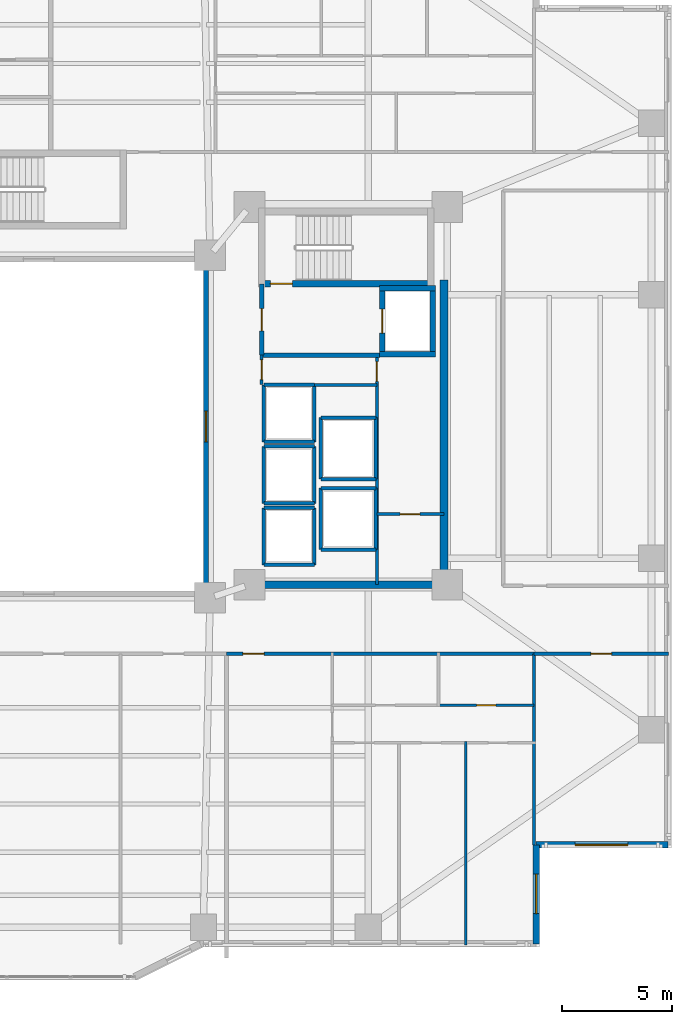
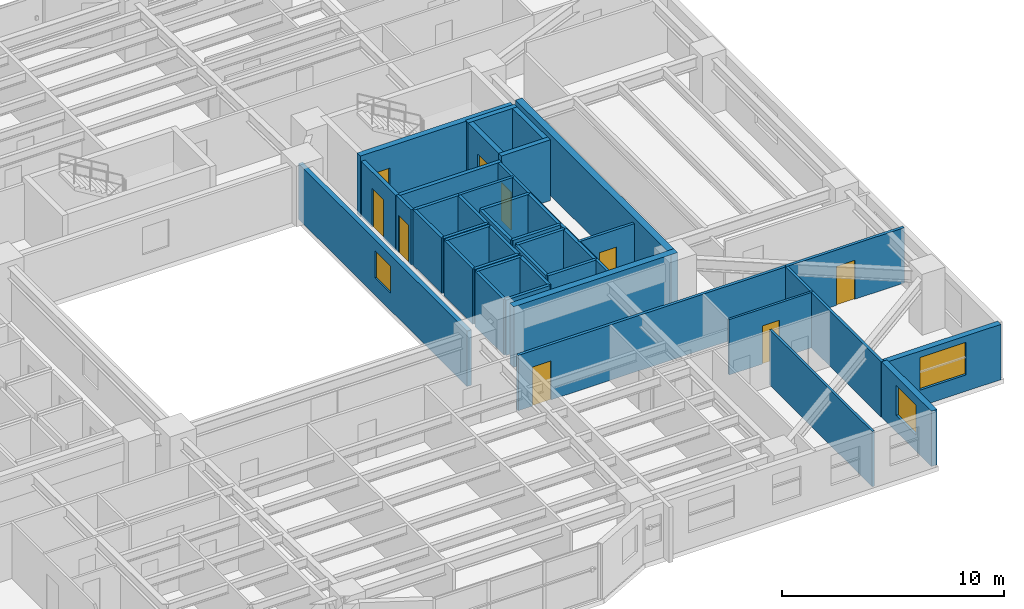
# One storey, part 12 of 20: 41 walls, 9 doors, 3 windows, 12 openings.
"""IFC4 building model written with IfcOpenShell, lengths in metres."""

from ifc_helpers import new_model, si_unit, direction, frame, frame_2d, origin, place, context, subcontext, project, spatial, rectangle, extrude, material, layer, layer_set, type_object, element, fill, save


model = new_model("IFC4")

# Units and contexts
model_context = context("Model", 3, precision=1e-05, world=origin(), true_north=direction((0.0, 1.0)))
body_context = subcontext(model_context, "Body", "Model", "MODEL_VIEW")
ifc_project = project(units=[si_unit("LENGTHUNIT", "METRE"), si_unit("AREAUNIT", "SQUARE_METRE"), si_unit("VOLUMEUNIT", "CUBIC_METRE"), si_unit("PLANEANGLEUNIT", "RADIAN"), si_unit("MASSUNIT", "GRAM", prefix="KILO")], contexts=[model_context])

# Site, building, storey
site_placement = place(None, origin())
site = spatial("IfcSite", under=ifc_project, at=site_placement, CompositionType="ELEMENT")
building_placement = place(site_placement, origin())
building = spatial("IfcBuilding", under=site, at=building_placement, Name="Tarnavaz Court Tower", CompositionType="ELEMENT")
storey_placement = place(building_placement, frame((0.0, 0.0, 60.85009765625)))
storey = spatial("IfcBuildingStorey", under=building, at=storey_placement, Name="L16", CompositionType="ELEMENT", Elevation=60.85009765625)

# Wall, opening, door
ifc_material_1 = material(Name="Concrete C60/75", Category="concrete")
ifc_layer_1 = layer(ifc_material_1, 0.25)
ifc_layer_set_1 = layer_set([ifc_layer_1], Name="Concrete C60/75")
wall_type_1 = type_object("IfcWallType", Name="WL-CORE-250-C60", PredefinedType="SHEAR", material=ifc_layer_set_1)
wall_1_placement = place(storey_placement, frame((15.64990234375, 3.175048828125, 0.0), z_axis=(0.0, 0.0, 1.0), x_axis=(0.0, 1.0, 0.0)))
wall_1 = element("IfcWall", 1, at=wall_1_placement, inside=storey, type_object=wall_type_1, Name="L16 Lift FL-E1 Shaft Wall 045", PredefinedType="SHEAR", context=body_context, shape_type="SweptSolid", body=[
    extrude(rectangle(XDim=3.25, YDim=0.25, at=frame_2d((1.625, 0.0))), origin(), (0.0, 0.0, 1.0), 3.349853515625),
])
opening_1_placement = place(wall_1_placement, frame((1.074951171875, 0.0, 0.0)))
opening_1 = element("IfcOpeningElement", 2, at=opening_1_placement, cuts=wall_1, Name="Opening LD1", PredefinedType="OPENING", context=body_context, shape_type="SweptSolid", body=[
    extrude(rectangle(XDim=1.10009765625, YDim=2.14990234375, at=frame_2d((0.550048828125, 1.074951171875))), frame((0.0, 0.135009765625, 0.0), z_axis=(0.0, -1.0, 0.0), x_axis=(1.0, 0.0, 0.0)), (0.0, 0.0, 1.0), 0.27001953125),
])
ifc_material_2 = material(Name="Stainless Steel", Category="steel")
door_type_1 = type_object("IfcDoorType", Name="DR-LD-1100", OperationType="NOTDEFINED", PredefinedType="DOOR", material=ifc_material_2)
door_1_placement = place(opening_1_placement, origin())
door_1 = element("IfcDoor", 3, at=door_1_placement, inside=storey, type_object=door_type_1, Name="L16 Lift Landing Door LD-FL-E1", OperationType="SLIDING_TO_LEFT", OverallHeight=2.14990234375, OverallWidth=1.10009765625, PredefinedType="DOOR", context=body_context, shape_type="SweptSolid", body=[
    extrude(rectangle(XDim=1.10009765625, YDim=2.14990234375, at=frame_2d((0.550048828125, 1.074951171875))), frame((0.0, 0.02490234375, 0.0), z_axis=(0.0, -1.0, 0.0), x_axis=(1.0, 0.0, 0.0)), (0.0, 0.0, 1.0), 0.050048828125),
])
fill(opening_1, door_1)

# Walls
wall_2_placement = place(storey_placement, frame((17.949951171875, 3.175048828125, 0.0), z_axis=(0.0, 0.0, 1.0), x_axis=(0.0, 1.0, 0.0)))
element("IfcWall", 4, at=wall_2_placement, inside=storey, type_object=wall_type_1, Name="L16 Lift FL-E1 Shaft Wall 046", PredefinedType="SHEAR", context=body_context, shape_type="SweptSolid", body=[
    extrude(rectangle(XDim=3.25, YDim=0.25, at=frame_2d((1.625, 0.0))), origin(), (0.0, 0.0, 1.0), 3.349853515625),
])
for number, where, z_axis, x_axis, name in (
    (5, (15.52490234375, 3.300048828125, 0.0), (0.0, 0.0, 1.0), (1.0, 0.0, 0.0), "L16 Lift FL-E1 Shaft Wall 047"),
    (6, (15.52490234375, 6.300048828125, 0.0), (0.0, 0.0, 1.0), (1.0, 0.0, 0.0), "L16 Lift FL-E1 Shaft Wall 048"),
):
    element("IfcWall", number, at=place(storey_placement, frame(where, z_axis=z_axis, x_axis=x_axis)), inside=storey, type_object=wall_type_1, Name=name, PredefinedType="SHEAR", context=body_context, shape_type="SweptSolid", body=[
        extrude(rectangle(XDim=2.550048828125, YDim=0.25, at=frame_2d((1.27490234375, 0.0))), origin(), (0.0, 0.0, 1.0), 3.349853515625),
    ])

# Wall, opening, door
ifc_layer_2 = layer(ifc_material_1, 0.300048828125)
ifc_layer_set_2 = layer_set([ifc_layer_2], Name="Concrete C60/75")
wall_type_2 = type_object("IfcWallType", Name="WL-CORE-300-C60", PredefinedType="SHEAR", material=ifc_layer_set_2)
wall_3_placement = place(storey_placement, frame((10.0, 6.5, 0.0), z_axis=(0.0, 0.0, 1.0), x_axis=(1.0, 0.0, 0.0)))
wall_3 = element("IfcWall", 7, at=wall_3_placement, inside=storey, type_object=wall_type_2, Name="L16 East Stair Core Wall 006", PredefinedType="SHEAR", context=body_context, shape_type="SweptSolid", body=[
    extrude(rectangle(XDim=8.0, YDim=0.300048828125, at=frame_2d((4.0, 0.0))), origin(), (0.0, 0.0, 1.0), 3.349853515625),
])
opening_2_placement = place(wall_3_placement, frame((0.550048828125, 0.0, 0.0)))
opening_2 = element("IfcOpeningElement", 8, at=opening_2_placement, cuts=wall_3, Name="Opening D01", PredefinedType="OPENING", context=body_context, shape_type="SweptSolid", body=[
    extrude(rectangle(XDim=1.0, YDim=2.14990234375, at=frame_2d((0.5, 1.074951171875))), frame((0.0, 0.159912109375, 0.0), z_axis=(0.0, -1.0, 0.0), x_axis=(1.0, 0.0, 0.0)), (0.0, 0.0, 1.0), 0.320068359375),
])
ifc_material_3 = material(Name="Fire-Rated Hardwood Timber Core", Category="wood")
door_type_2 = type_object("IfcDoorType", Name="DR-FD90-1000", OperationType="NOTDEFINED", PredefinedType="DOOR", material=ifc_material_3)
door_2_placement = place(opening_2_placement, origin())
door_2 = element("IfcDoor", 9, at=door_2_placement, inside=storey, type_object=door_type_2, Name="L16 Stair ST-E1 Exit Door", OperationType="SINGLE_SWING_RIGHT", OverallHeight=2.14990234375, OverallWidth=1.0, PredefinedType="DOOR", context=body_context, shape_type="SweptSolid", body=[
    extrude(rectangle(XDim=1.0, YDim=2.14990234375, at=frame_2d((0.5, 1.074951171875))), frame((0.0, 0.02490234375, 0.0), z_axis=(0.0, -1.0, 0.0), x_axis=(1.0, 0.0, 0.0)), (0.0, 0.0, 1.0), 0.050048828125),
])
fill(opening_2, door_2)

# Walls
ifc_layer_3 = layer(ifc_material_1, 0.35009765625)
ifc_layer_set_3 = layer_set([ifc_layer_3], Name="Concrete C60/75")
wall_type_3 = type_object("IfcWallType", Name="WL-CORE-350-C60", PredefinedType="SHEAR", material=ifc_layer_set_3)
wall_4_placement = place(storey_placement, frame((18.449951171875, -7.375, 0.0), z_axis=(0.0, 0.0, 1.0), x_axis=(0.0, 1.0, 0.0)))
element("IfcWall", 10, at=wall_4_placement, inside=storey, type_object=wall_type_3, Name="L16 East Core Shear Wall 071", PredefinedType="SHEAR", context=body_context, shape_type="SweptSolid", body=[
    extrude(rectangle(XDim=14.050048828125, YDim=0.35009765625, at=frame_2d((7.02490234375, 0.0))), origin(), (0.0, 0.0, 1.0), 3.349853515625),
])
wall_5_placement = place(storey_placement, frame((10.074951171875, -7.199951171875, 0.0), z_axis=(0.0, 0.0, 1.0), x_axis=(1.0, 0.0, 0.0)))
element("IfcWall", 11, at=wall_5_placement, inside=storey, type_object=wall_type_3, Name="L16 East Core South Shear Wall 072", PredefinedType="SHEAR", context=body_context, shape_type="SweptSolid", body=[
    extrude(rectangle(XDim=8.550048828125, YDim=0.35009765625, at=frame_2d((4.27490234375, 0.0))), origin(), (0.0, 0.0, 1.0), 3.349853515625),
])

# Wall, opening, window
ifc_material_4 = material(Name="Precast Concrete C40/50", Category="concrete")
ifc_layer_4 = layer(ifc_material_4, 0.300048828125)
ifc_layer_set_4 = layer_set([ifc_layer_4], Name="Precast Concrete C40/50")
wall_type_4 = type_object("IfcWallType", Name="WL-EXT-300", PredefinedType="SOLIDWALL", material=ifc_layer_set_4)
wall_6_placement = place(storey_placement, frame((28.64990234375, -19.050048828125, 0.0), z_axis=(0.0, 0.0, 1.0), x_axis=(-1.0, 0.0, 0.0)))
wall_6 = element("IfcWall", 12, at=wall_6_placement, inside=storey, type_object=wall_type_4, Name="L16 Exterior Terracotta Facade Wall 13", PredefinedType="SOLIDWALL", context=body_context, shape_type="SweptSolid", body=[
    extrude(rectangle(XDim=6.0, YDim=0.300048828125, at=frame_2d((3.0, 0.0))), origin(), (0.0, 0.0, 1.0), 3.0498046875),
])
opening_3_placement = place(wall_6_placement, frame((1.824951171875, 0.0, 0.89990234375)))
opening_3 = element("IfcOpeningElement", 13, at=opening_3_placement, cuts=wall_6, Name="Opening W06", PredefinedType="OPENING", context=body_context, shape_type="SweptSolid", body=[
    extrude(rectangle(XDim=2.39990234375, YDim=1.800048828125, at=frame_2d((1.199951171875, 0.89990234375))), frame((0.0, 0.159912109375, 0.0), z_axis=(0.0, -1.0, 0.0), x_axis=(1.0, 0.0, 0.0)), (0.0, 0.0, 1.0), 0.320068359375),
])
ifc_material_5 = material(Name="Double-Glazed Solar Low-E Glass", Category="glass")
window_type_1 = type_object("IfcWindowType", Name="WN-APT-2400", PartitioningType="TRIPLE_PANEL_VERTICAL", PredefinedType="WINDOW", material=ifc_material_5)
window_1_placement = place(opening_3_placement, origin())
window_1 = element("IfcWindow", 14, at=window_1_placement, inside=storey, type_object=window_type_1, Name="L16 South-East Corner Reading Room Window", OverallHeight=1.800048828125, OverallWidth=2.39990234375, PartitioningType="SINGLE_PANEL", PredefinedType="WINDOW", context=body_context, shape_type="SweptSolid", body=[
    extrude(rectangle(XDim=2.39990234375, YDim=1.800048828125, at=frame_2d((1.199951171875, 0.89990234375))), frame((0.0, 0.030029296875, 0.0), z_axis=(0.0, -1.0, 0.0), x_axis=(1.0, 0.0, 0.0)), (0.0, 0.0, 1.0), 0.06005859375),
])
fill(opening_3, window_1)

wall_7_placement = place(storey_placement, frame((22.64990234375, -19.050048828125, 0.0), z_axis=(0.0, 0.0, 1.0), x_axis=(0.0, -1.0, 0.0)))
wall_7 = element("IfcWall", 15, at=wall_7_placement, inside=storey, type_object=wall_type_4, Name="L16 Exterior Terracotta Facade Wall 14", PredefinedType="SOLIDWALL", context=body_context, shape_type="SweptSolid", body=[
    extrude(rectangle(XDim=4.5, YDim=0.300048828125, at=frame_2d((2.25, 0.0))), origin(), (0.0, 0.0, 1.0), 3.0498046875),
])
opening_4_placement = place(wall_7_placement, frame((1.33251953125, 0.0, 0.89990234375)))
opening_4 = element("IfcOpeningElement", 16, at=opening_4_placement, cuts=wall_7, Name="Opening W01", PredefinedType="OPENING", context=body_context, shape_type="SweptSolid", body=[
    extrude(rectangle(XDim=1.800048828125, YDim=1.64990234375, at=frame_2d((0.89990234375, 0.824951171875))), frame((0.0, 0.159912109375, 0.0), z_axis=(0.0, -1.0, 0.0), x_axis=(1.0, 0.0, 0.0)), (0.0, 0.0, 1.0), 0.320068359375),
])
window_type_2 = type_object("IfcWindowType", Name="WN-APT-1800", PartitioningType="DOUBLE_PANEL_VERTICAL", PredefinedType="WINDOW", material=ifc_material_5)
window_2_placement = place(opening_4_placement, origin())
window_2 = element("IfcWindow", 17, at=window_2_placement, inside=storey, type_object=window_type_2, Name="L16 Flat 04 Bedroom 3 Window", OverallHeight=1.64990234375, OverallWidth=1.800048828125, PartitioningType="SINGLE_PANEL", PredefinedType="WINDOW", context=body_context, shape_type="SweptSolid", body=[
    extrude(rectangle(XDim=1.800048828125, YDim=1.64990234375, at=frame_2d((0.89990234375, 0.824951171875))), frame((0.0, 0.030029296875, 0.0), z_axis=(0.0, -1.0, 0.0), x_axis=(1.0, 0.0, 0.0)), (0.0, 0.0, 1.0), 0.06005859375),
])
fill(opening_4, window_2)

# Wall, opening, door
ifc_material_6 = material(Name="Gypsum Fire-Board on Acoustic Metal Stud", Category="masonry")
ifc_layer_5 = layer(ifc_material_6, 0.14990234375)
ifc_layer_set_5 = layer_set([ifc_layer_5], Name="Gypsum Fire-Board on Acoustic Metal Stud")
wall_type_5 = type_object("IfcWallType", Name="WL-FIRE-150", PredefinedType="PARTITIONING", material=ifc_layer_set_5)
wall_8_placement = place(storey_placement, frame((8.550048828125, -10.35009765625, 0.0), z_axis=(0.0, 0.0, 1.0), x_axis=(1.0, 0.0, 0.0)))
wall_8 = element("IfcWall", 18, at=wall_8_placement, inside=storey, type_object=wall_type_5, Name="L16 SE Corridor Wall 086", PredefinedType="PARTITIONING", context=body_context, shape_type="SweptSolid", body=[
    extrude(rectangle(XDim=14.0, YDim=0.14990234375, at=frame_2d((7.0, 0.0))), origin(), (0.0, 0.0, 1.0), 3.0498046875),
])
opening_5_placement = place(wall_8_placement, frame((0.75, 0.0, 0.0)))
opening_5 = element("IfcOpeningElement", 19, at=opening_5_placement, cuts=wall_8, Name="Opening D06", PredefinedType="OPENING", context=body_context, shape_type="SweptSolid", body=[
    extrude(rectangle(XDim=0.9599609375, YDim=2.14990234375, at=frame_2d((0.47998046875, 1.074951171875))), frame((0.0, 0.0849609375, 0.0), z_axis=(0.0, -1.0, 0.0), x_axis=(1.0, 0.0, 0.0)), (0.0, 0.0, 1.0), 0.169921875),
])
door_type_3 = type_object("IfcDoorType", Name="DR-FD60-950", OperationType="NOTDEFINED", PredefinedType="DOOR", material=ifc_material_3)
door_3_placement = place(opening_5_placement, origin())
door_3 = element("IfcDoor", 20, at=door_3_placement, inside=storey, type_object=door_type_3, Name="L16 Flat 04 Entrance Door", OperationType="SINGLE_SWING_LEFT", OverallHeight=2.14990234375, OverallWidth=0.9599609375, PredefinedType="DOOR", context=body_context, shape_type="SweptSolid", body=[
    extrude(rectangle(XDim=0.9599609375, YDim=2.14990234375, at=frame_2d((0.47998046875, 1.074951171875))), frame((0.0, 0.02490234375, 0.0), z_axis=(0.0, -1.0, 0.0), x_axis=(1.0, 0.0, 0.0)), (0.0, 0.0, 1.0), 0.050048828125),
])
fill(opening_5, door_3)

wall_9_placement = place(storey_placement, frame((22.550048828125, -10.35009765625, 0.0), z_axis=(0.0, 0.0, 1.0), x_axis=(1.0, 0.0, 0.0)))
wall_9 = element("IfcWall", 21, at=wall_9_placement, inside=storey, type_object=wall_type_5, Name="L16 Interior Partition 132", PredefinedType="PARTITIONING", context=body_context, shape_type="SweptSolid", body=[
    extrude(rectangle(XDim=6.1298828125, YDim=0.14990234375, at=frame_2d((3.06494140625, 0.0))), origin(), (0.0, 0.0, 1.0), 3.0498046875),
])
opening_6_placement = place(wall_9_placement, frame((2.590087890625, 0.0, 0.0)))
opening_6 = element("IfcOpeningElement", 22, at=opening_6_placement, cuts=wall_9, Name="Opening D13", PredefinedType="OPENING", context=body_context, shape_type="SweptSolid", body=[
    extrude(rectangle(XDim=0.949951171875, YDim=2.14990234375, at=frame_2d((0.47509765625, 1.074951171875))), frame((0.0, 0.0849609375, 0.0), z_axis=(0.0, -1.0, 0.0), x_axis=(1.0, 0.0, 0.0)), (0.0, 0.0, 1.0), 0.169921875),
])
ifc_material_7 = material(Name="Engineered Oak Timber", Category="wood")
door_type_4 = type_object("IfcDoorType", Name="DR-INT-950", OperationType="NOTDEFINED", PredefinedType="DOOR", material=ifc_material_7)
door_4_placement = place(opening_6_placement, origin())
door_4 = element("IfcDoor", 23, at=door_4_placement, inside=storey, type_object=door_type_4, Name="L16 SE Reading Room Door", OperationType="SINGLE_SWING_RIGHT", OverallHeight=2.14990234375, OverallWidth=0.949951171875, PredefinedType="DOOR", context=body_context, shape_type="SweptSolid", body=[
    extrude(rectangle(XDim=0.949951171875, YDim=2.14990234375, at=frame_2d((0.47509765625, 1.074951171875))), frame((0.0, 0.02490234375, 0.0), z_axis=(0.0, -1.0, 0.0), x_axis=(1.0, 0.0, 0.0)), (0.0, 0.0, 1.0), 0.050048828125),
])
fill(opening_6, door_4)

# Wall
ifc_material_8 = material(Name="Autoclaved Aerated Concrete Blockwork", Category="masonry")
ifc_layer_6 = layer(ifc_material_8, 0.199951171875)
ifc_layer_set_6 = layer_set([ifc_layer_6], Name="Autoclaved Aerated Concrete Blockwork")
wall_type_6 = type_object("IfcWallType", Name="WL-FIRE-200", PredefinedType="SOLIDWALL", material=ifc_layer_set_6)
wall_10_placement = place(storey_placement, frame((10.14990234375, 3.25, 0.0), z_axis=(0.0, 0.0, 1.0), x_axis=(1.0, 0.0, 0.0)))
element("IfcWall", 24, at=wall_10_placement, inside=storey, type_object=wall_type_6, Name="L16 East Firefighting Lobby Wall 015", PredefinedType="SOLIDWALL", context=body_context, shape_type="SweptSolid", body=[
    extrude(rectangle(XDim=5.400146484375, YDim=0.199951171875, at=frame_2d((2.7001953125, 0.0))), origin(), (0.0, 0.0, 1.0), 3.0498046875),
])

# Wall, opening, door
wall_11_placement = place(storey_placement, frame((10.14990234375, 3.25, 0.0), z_axis=(0.0, 0.0, 1.0), x_axis=(0.0, 1.0, 0.0)))
wall_11 = element("IfcWall", 25, at=wall_11_placement, inside=storey, type_object=wall_type_6, Name="L16 East Firefighting Lobby Wall 016", PredefinedType="SOLIDWALL", context=body_context, shape_type="SweptSolid", body=[
    extrude(rectangle(XDim=3.25, YDim=0.199951171875, at=frame_2d((1.625, 0.0))), origin(), (0.0, 0.0, 1.0), 3.0498046875),
])
opening_7_placement = place(wall_11_placement, frame((1.10009765625, 0.0, 0.0)))
opening_7 = element("IfcOpeningElement", 26, at=opening_7_placement, cuts=wall_11, Name="Opening D05", PredefinedType="OPENING", context=body_context, shape_type="SweptSolid", body=[
    extrude(rectangle(XDim=1.02001953125, YDim=2.14990234375, at=frame_2d((0.510009765625, 1.074951171875))), frame((0.0, 0.10986328125, 0.0), z_axis=(0.0, -1.0, 0.0), x_axis=(1.0, 0.0, 0.0)), (0.0, 0.0, 1.0), 0.219970703125),
])
door_type_5 = type_object("IfcDoorType", Name="DR-FD60-1000", OperationType="NOTDEFINED", PredefinedType="DOOR", material=ifc_material_3)
door_5_placement = place(opening_7_placement, origin())
door_5 = element("IfcDoor", 27, at=door_5_placement, inside=storey, type_object=door_type_5, Name="L16 East Firefighting Lobby Door", OperationType="SINGLE_SWING_LEFT", OverallHeight=2.14990234375, OverallWidth=1.02001953125, PredefinedType="DOOR", context=body_context, shape_type="SweptSolid", body=[
    extrude(rectangle(XDim=1.02001953125, YDim=2.14990234375, at=frame_2d((0.510009765625, 1.074951171875))), frame((0.0, 0.02490234375, 0.0), z_axis=(0.0, -1.0, 0.0), x_axis=(1.0, 0.0, 0.0)), (0.0, 0.0, 1.0), 0.050048828125),
])
fill(opening_7, door_5)

ifc_material_9 = material(Name="Moisture-Resistant Gypsum Board Partition", Category="masonry")
ifc_layer_7 = layer(ifc_material_9, 0.1201171875)
ifc_layer_set_7 = layer_set([ifc_layer_7], Name="Moisture-Resistant Gypsum Board Partition")
wall_type_7 = type_object("IfcWallType", Name="WL-PART-120", PredefinedType="PARTITIONING", material=ifc_layer_set_7)
wall_12_placement = place(storey_placement, frame((18.199951171875, -12.68994140625, 0.0), z_axis=(0.0, 0.0, 1.0), x_axis=(1.0, 0.0, 0.0)))
wall_12 = element("IfcWall", 28, at=wall_12_placement, inside=storey, type_object=wall_type_7, Name="L16 Interior Partition 112", PredefinedType="PARTITIONING", context=body_context, shape_type="SweptSolid", body=[
    extrude(rectangle(XDim=4.35009765625, YDim=0.1201171875, at=frame_2d((2.175048828125, 0.0))), origin(), (0.0, 0.0, 1.0), 3.0498046875),
])
opening_8_placement = place(wall_12_placement, frame((1.735107421875, 0.0, 0.0)))
opening_8 = element("IfcOpeningElement", 29, at=opening_8_placement, cuts=wall_12, Name="Opening D14", PredefinedType="OPENING", context=body_context, shape_type="SweptSolid", body=[
    extrude(rectangle(XDim=0.8798828125, YDim=2.10009765625, at=frame_2d((0.43994140625, 1.050048828125))), frame((0.0, 0.070068359375, 0.0), z_axis=(0.0, -1.0, 0.0), x_axis=(1.0, 0.0, 0.0)), (0.0, 0.0, 1.0), 0.14013671875),
])
door_type_6 = type_object("IfcDoorType", Name="DR-INT-900", OperationType="NOTDEFINED", PredefinedType="DOOR", material=ifc_material_7)
door_6_placement = place(opening_8_placement, origin())
door_6 = element("IfcDoor", 30, at=door_6_placement, inside=storey, type_object=door_type_6, Name="L16 Flat 04 Bathroom Door", OperationType="SINGLE_SWING_RIGHT", OverallHeight=2.10009765625, OverallWidth=0.8798828125, PredefinedType="DOOR", context=body_context, shape_type="SweptSolid", body=[
    extrude(rectangle(XDim=0.8798828125, YDim=2.10009765625, at=frame_2d((0.43994140625, 1.050048828125))), frame((0.0, 0.02490234375, 0.0), z_axis=(0.0, -1.0, 0.0), x_axis=(1.0, 0.0, 0.0)), (0.0, 0.0, 1.0), 0.050048828125),
])
fill(opening_8, door_6)

# Walls
wall_13_placement = place(storey_placement, frame((19.447021484375, -23.60009765625, 0.0), z_axis=(0.0, 0.0, 1.0), x_axis=(0.0, 1.0, 0.0)))
element("IfcWall", 31, at=wall_13_placement, inside=storey, type_object=wall_type_7, Name="L16 Interior Partition 116", PredefinedType="PARTITIONING", context=body_context, shape_type="SweptSolid", body=[
    extrude(rectangle(XDim=9.260009765625, YDim=0.1201171875, at=frame_2d((4.6298828125, 0.0))), origin(), (0.0, 0.0, 1.0), 3.0498046875),
])
ifc_material_10 = material(Name="Gypsum Plasterboard Acoustic Partition", Category="masonry")
ifc_layer_8 = layer(ifc_material_10, 0.139892578125)
ifc_layer_set_8 = layer_set([ifc_layer_8], Name="Gypsum Plasterboard Acoustic Partition")
wall_type_8 = type_object("IfcWallType", Name="WL-PART-150", PredefinedType="PARTITIONING", material=ifc_layer_set_8)
wall_14_placement = place(storey_placement, frame((12.550048828125, 1.89990234375, 0.0), z_axis=(0.0, 0.0, 1.0), x_axis=(1.0, 0.0, 0.0)))
element("IfcWall", 32, at=wall_14_placement, inside=storey, type_object=wall_type_8, Name="L16 Interior Partition 077", PredefinedType="PARTITIONING", context=body_context, shape_type="SweptSolid", body=[
    extrude(rectangle(XDim=2.849853515625, YDim=0.139892578125, at=frame_2d((1.4248046875, 0.0))), origin(), (0.0, 0.0, 1.0), 3.0498046875),
])

# Wall, opening, door
wall_15_placement = place(storey_placement, frame((10.14990234375, 1.919921875, 0.0), z_axis=(0.0, 0.0, 1.0), x_axis=(0.0, 1.0, 0.0)))
wall_15 = element("IfcWall", 33, at=wall_15_placement, inside=storey, type_object=wall_type_8, Name="L16 Interior Partition 078", PredefinedType="PARTITIONING", context=body_context, shape_type="SweptSolid", body=[
    extrude(rectangle(XDim=1.330078125, YDim=0.139892578125, at=frame_2d((0.6650390625, 0.0))), origin(), (0.0, 0.0, 1.0), 3.0498046875),
])
opening_9_placement = place(wall_15_placement, frame((0.219970703125, 0.0, 0.0)))
opening_9 = element("IfcOpeningElement", 34, at=opening_9_placement, cuts=wall_15, Name="Opening D09", PredefinedType="OPENING", context=body_context, shape_type="SweptSolid", body=[
    extrude(rectangle(XDim=0.89990234375, YDim=2.080078125, at=frame_2d((0.449951171875, 1.0400390625))), frame((0.0, 0.079833984375, 0.0), z_axis=(0.0, -1.0, 0.0), x_axis=(1.0, 0.0, 0.0)), (0.0, 0.0, 1.0), 0.159912109375),
])
door_type_7 = type_object("IfcDoorType", Name="DR-FD30-900", OperationType="NOTDEFINED", PredefinedType="DOOR", material=ifc_material_3)
door_7_placement = place(opening_9_placement, origin())
door_7 = element("IfcDoor", 35, at=door_7_placement, inside=storey, type_object=door_type_7, Name="L16 East Core Service Lobby Door", OperationType="SINGLE_SWING_RIGHT", OverallHeight=2.080078125, OverallWidth=0.89990234375, PredefinedType="DOOR", context=body_context, shape_type="SweptSolid", body=[
    extrude(rectangle(XDim=0.89990234375, YDim=2.080078125, at=frame_2d((0.449951171875, 1.0400390625))), frame((0.0, 0.02490234375, 0.0), z_axis=(0.0, -1.0, 0.0), x_axis=(1.0, 0.0, 0.0)), (0.0, 0.0, 1.0), 0.050048828125),
])
fill(opening_9, door_7)

wall_16_placement = place(storey_placement, frame((15.39990234375, -7.199951171875, 0.0), z_axis=(0.0, 0.0, 1.0), x_axis=(0.0, 1.0, 0.0)))
wall_16 = element("IfcWall", 36, at=wall_16_placement, inside=storey, type_object=wall_type_8, Name="L16 Interior Partition 079", PredefinedType="PARTITIONING", context=body_context, shape_type="SweptSolid", body=[
    extrude(rectangle(XDim=10.449951171875, YDim=0.139892578125, at=frame_2d((5.22509765625, 0.0))), origin(), (0.0, 0.0, 1.0), 3.0498046875),
])
opening_10_placement = place(wall_16_placement, frame((9.25, 0.0, 0.0)))
opening_10 = element("IfcOpeningElement", 37, at=opening_10_placement, cuts=wall_16, Name="Opening D09", PredefinedType="OPENING", context=body_context, shape_type="SweptSolid", body=[
    extrude(rectangle(XDim=0.89990234375, YDim=2.080078125, at=frame_2d((0.449951171875, 1.0400390625))), frame((0.0, 0.079833984375, 0.0), z_axis=(0.0, -1.0, 0.0), x_axis=(1.0, 0.0, 0.0)), (0.0, 0.0, 1.0), 0.159912109375),
])
door_8_placement = place(opening_10_placement, origin())
door_8 = element("IfcDoor", 38, at=door_8_placement, inside=storey, type_object=door_type_7, Name="L16 East Wet Riser Door", OperationType="SINGLE_SWING_LEFT", OverallHeight=2.080078125, OverallWidth=0.89990234375, PredefinedType="DOOR", context=body_context, shape_type="SweptSolid", body=[
    extrude(rectangle(XDim=0.89990234375, YDim=2.080078125, at=frame_2d((0.449951171875, 1.0400390625))), frame((0.0, 0.02490234375, 0.0), z_axis=(0.0, -1.0, 0.0), x_axis=(1.0, 0.0, 0.0)), (0.0, 0.0, 1.0), 0.050048828125),
])
fill(opening_10, door_8)

wall_17_placement = place(storey_placement, frame((15.39990234375, -3.989990234375, 0.0), z_axis=(0.0, 0.0, 1.0), x_axis=(1.0, 0.0, 0.0)))
wall_17 = element("IfcWall", 39, at=wall_17_placement, inside=storey, type_object=wall_type_8, Name="L16 Interior Partition 080", PredefinedType="PARTITIONING", context=body_context, shape_type="SweptSolid", body=[
    extrude(rectangle(XDim=3.050048828125, YDim=0.139892578125, at=frame_2d((1.52490234375, 0.0))), origin(), (0.0, 0.0, 1.0), 3.0498046875),
])
opening_11_placement = place(wall_17_placement, frame((1.050048828125, 0.0, 0.0)))
opening_11 = element("IfcOpeningElement", 40, at=opening_11_placement, cuts=wall_17, Name="Opening D09", PredefinedType="OPENING", context=body_context, shape_type="SweptSolid", body=[
    extrude(rectangle(XDim=0.89990234375, YDim=2.080078125, at=frame_2d((0.449951171875, 1.0400390625))), frame((0.0, 0.079833984375, 0.0), z_axis=(0.0, -1.0, 0.0), x_axis=(1.0, 0.0, 0.0)), (0.0, 0.0, 1.0), 0.159912109375),
])
door_9_placement = place(opening_11_placement, origin())
door_9 = element("IfcDoor", 41, at=door_9_placement, inside=storey, type_object=door_type_7, Name="L16 East Electrical Plant Door", OperationType="SINGLE_SWING_RIGHT", OverallHeight=2.080078125, OverallWidth=0.89990234375, PredefinedType="DOOR", context=body_context, shape_type="SweptSolid", body=[
    extrude(rectangle(XDim=0.89990234375, YDim=2.080078125, at=frame_2d((0.449951171875, 1.0400390625))), frame((0.0, 0.02490234375, 0.0), z_axis=(0.0, -1.0, 0.0), x_axis=(1.0, 0.0, 0.0)), (0.0, 0.0, 1.0), 0.050048828125),
])
fill(opening_11, door_9)

# Walls
wall_18_placement = place(storey_placement, frame((22.550048828125, -19.050048828125, 0.0), z_axis=(0.0, 0.0, 1.0), x_axis=(0.0, 1.0, 0.0)))
element("IfcWall", 42, at=wall_18_placement, inside=storey, type_object=wall_type_8, Name="L16 Interior Partition 126", PredefinedType="PARTITIONING", context=body_context, shape_type="SweptSolid", body=[
    extrude(rectangle(XDim=8.699951171875, YDim=0.139892578125, at=frame_2d((4.35009765625, 0.0))), origin(), (0.0, 0.0, 1.0), 3.0498046875),
])
ifc_layer_9 = layer(ifc_material_8, 0.159912109375)
ifc_layer_set_9 = layer_set([ifc_layer_9], Name="Autoclaved Aerated Concrete Blockwork")
wall_type_9 = type_object("IfcWallType", Name="WL-SHAFT-150", PredefinedType="SOLIDWALL", material=ifc_layer_set_9)
for number, where, z_axis, x_axis, name in (
    (43, (10.25, -6.300048828125, 0.0), (0.0, 0.0, 1.0), (0.0, 1.0, 0.0), "L16 Lift PL-M1 Shaft Wall 049"),
    (44, (12.550048828125, -6.300048828125, 0.0), (0.0, 0.0, 1.0), (0.0, 1.0, 0.0), "L16 Lift PL-M1 Shaft Wall 050"),
):
    element("IfcWall", number, at=place(storey_placement, frame(where, z_axis=z_axis, x_axis=x_axis)), inside=storey, type_object=wall_type_9, Name=name, PredefinedType="SOLIDWALL", context=body_context, shape_type="SweptSolid", body=[
        extrude(rectangle(XDim=2.60009765625, YDim=0.159912109375, at=frame_2d((1.300048828125, 0.0))), origin(), (0.0, 0.0, 1.0), 3.0498046875),
    ])
for number, where, z_axis, x_axis, name in (
    (45, (10.25, -6.300048828125, 0.0), (0.0, 0.0, 1.0), (1.0, 0.0, 0.0), "L16 Lift PL-M1 Shaft Wall 051"),
    (46, (10.25, -3.699951171875, 0.0), (0.0, 0.0, 1.0), (1.0, 0.0, 0.0), "L16 Lift PL-M1 Shaft Wall 052"),
):
    element("IfcWall", number, at=place(storey_placement, frame(where, z_axis=z_axis, x_axis=x_axis)), inside=storey, type_object=wall_type_9, Name=name, PredefinedType="SOLIDWALL", context=body_context, shape_type="SweptSolid", body=[
        extrude(rectangle(XDim=2.300048828125, YDim=0.159912109375, at=frame_2d((1.14990234375, 0.0))), origin(), (0.0, 0.0, 1.0), 3.0498046875),
    ])
for number, where, z_axis, x_axis, name in (
    (47, (10.25, -3.5, 0.0), (0.0, 0.0, 1.0), (0.0, 1.0, 0.0), "L16 Lift PL-M2 Shaft Wall 053"),
    (48, (12.550048828125, -3.5, 0.0), (0.0, 0.0, 1.0), (0.0, 1.0, 0.0), "L16 Lift PL-M2 Shaft Wall 054"),
):
    element("IfcWall", number, at=place(storey_placement, frame(where, z_axis=z_axis, x_axis=x_axis)), inside=storey, type_object=wall_type_9, Name=name, PredefinedType="SOLIDWALL", context=body_context, shape_type="SweptSolid", body=[
        extrude(rectangle(XDim=2.60009765625, YDim=0.159912109375, at=frame_2d((1.300048828125, 0.0))), origin(), (0.0, 0.0, 1.0), 3.0498046875),
    ])
for number, where, z_axis, x_axis, name in (
    (49, (10.25, -3.5, 0.0), (0.0, 0.0, 1.0), (1.0, 0.0, 0.0), "L16 Lift PL-M2 Shaft Wall 055"),
    (50, (10.25, -0.89990234375, 0.0), (0.0, 0.0, 1.0), (1.0, 0.0, 0.0), "L16 Lift PL-M2 Shaft Wall 056"),
):
    element("IfcWall", number, at=place(storey_placement, frame(where, z_axis=z_axis, x_axis=x_axis)), inside=storey, type_object=wall_type_9, Name=name, PredefinedType="SOLIDWALL", context=body_context, shape_type="SweptSolid", body=[
        extrude(rectangle(XDim=2.300048828125, YDim=0.159912109375, at=frame_2d((1.14990234375, 0.0))), origin(), (0.0, 0.0, 1.0), 3.0498046875),
    ])
for number, where, z_axis, x_axis, name in (
    (51, (10.25, -0.699951171875, 0.0), (0.0, 0.0, 1.0), (0.0, 1.0, 0.0), "L16 Lift PL-M3 Shaft Wall 057"),
    (52, (12.550048828125, -0.699951171875, 0.0), (0.0, 0.0, 1.0), (0.0, 1.0, 0.0), "L16 Lift PL-M3 Shaft Wall 058"),
):
    element("IfcWall", number, at=place(storey_placement, frame(where, z_axis=z_axis, x_axis=x_axis)), inside=storey, type_object=wall_type_9, Name=name, PredefinedType="SOLIDWALL", context=body_context, shape_type="SweptSolid", body=[
        extrude(rectangle(XDim=2.599853515625, YDim=0.159912109375, at=frame_2d((1.2998046875, 0.0))), origin(), (0.0, 0.0, 1.0), 3.0498046875),
    ])
for number, where, z_axis, x_axis, name in (
    (53, (10.25, -0.699951171875, 0.0), (0.0, 0.0, 1.0), (1.0, 0.0, 0.0), "L16 Lift PL-M3 Shaft Wall 059"),
    (54, (10.25, 1.89990234375, 0.0), (0.0, 0.0, 1.0), (1.0, 0.0, 0.0), "L16 Lift PL-M3 Shaft Wall 060"),
):
    element("IfcWall", number, at=place(storey_placement, frame(where, z_axis=z_axis, x_axis=x_axis)), inside=storey, type_object=wall_type_9, Name=name, PredefinedType="SOLIDWALL", context=body_context, shape_type="SweptSolid", body=[
        extrude(rectangle(XDim=2.300048828125, YDim=0.159912109375, at=frame_2d((1.14990234375, 0.0))), origin(), (0.0, 0.0, 1.0), 3.0498046875),
    ])
for number, where, z_axis, x_axis, name in (
    (55, (12.85009765625, -5.60009765625, 0.0), (0.0, 0.0, 1.0), (0.0, 1.0, 0.0), "L16 Lift PL-OB1 Shaft Wall 061"),
    (56, (15.35009765625, -5.60009765625, 0.0), (0.0, 0.0, 1.0), (0.0, 1.0, 0.0), "L16 Lift PL-OB1 Shaft Wall 062"),
):
    element("IfcWall", number, at=place(storey_placement, frame(where, z_axis=z_axis, x_axis=x_axis)), inside=storey, type_object=wall_type_9, Name=name, PredefinedType="SOLIDWALL", context=body_context, shape_type="SweptSolid", body=[
        extrude(rectangle(XDim=2.800048828125, YDim=0.159912109375, at=frame_2d((1.39990234375, 0.0))), origin(), (0.0, 0.0, 1.0), 3.0498046875),
    ])
for number, where, z_axis, x_axis, name in (
    (57, (12.85009765625, -5.60009765625, 0.0), (0.0, 0.0, 1.0), (1.0, 0.0, 0.0), "L16 Lift PL-OB1 Shaft Wall 063"),
    (58, (12.85009765625, -2.800048828125, 0.0), (0.0, 0.0, 1.0), (1.0, 0.0, 0.0), "L16 Lift PL-OB1 Shaft Wall 064"),
):
    element("IfcWall", number, at=place(storey_placement, frame(where, z_axis=z_axis, x_axis=x_axis)), inside=storey, type_object=wall_type_9, Name=name, PredefinedType="SOLIDWALL", context=body_context, shape_type="SweptSolid", body=[
        extrude(rectangle(XDim=2.5, YDim=0.159912109375, at=frame_2d((1.25, 0.0))), origin(), (0.0, 0.0, 1.0), 3.0498046875),
    ])
for number, where, z_axis, x_axis, name in (
    (59, (12.85009765625, -2.39990234375, 0.0), (0.0, 0.0, 1.0), (0.0, 1.0, 0.0), "L16 Lift PL-OB2 Shaft Wall 065"),
    (60, (15.35009765625, -2.39990234375, 0.0), (0.0, 0.0, 1.0), (0.0, 1.0, 0.0), "L16 Lift PL-OB2 Shaft Wall 066"),
):
    element("IfcWall", number, at=place(storey_placement, frame(where, z_axis=z_axis, x_axis=x_axis)), inside=storey, type_object=wall_type_9, Name=name, PredefinedType="SOLIDWALL", context=body_context, shape_type="SweptSolid", body=[
        extrude(rectangle(XDim=2.7998046875, YDim=0.159912109375, at=frame_2d((1.39990234375, 0.0))), origin(), (0.0, 0.0, 1.0), 3.0498046875),
    ])
for number, where, z_axis, x_axis, name in (
    (61, (12.85009765625, -2.39990234375, 0.0), (0.0, 0.0, 1.0), (1.0, 0.0, 0.0), "L16 Lift PL-OB2 Shaft Wall 067"),
    (62, (12.85009765625, 0.39990234375, 0.0), (0.0, 0.0, 1.0), (1.0, 0.0, 0.0), "L16 Lift PL-OB2 Shaft Wall 068"),
):
    element("IfcWall", number, at=place(storey_placement, frame(where, z_axis=z_axis, x_axis=x_axis)), inside=storey, type_object=wall_type_9, Name=name, PredefinedType="SOLIDWALL", context=body_context, shape_type="SweptSolid", body=[
        extrude(rectangle(XDim=2.5, YDim=0.159912109375, at=frame_2d((1.25, 0.0))), origin(), (0.0, 0.0, 1.0), 3.0498046875),
    ])

# Wall, opening, window
ifc_layer_10 = layer(ifc_material_4, 0.239990234375)
ifc_layer_set_10 = layer_set([ifc_layer_10], Name="Precast Concrete C40/50")
wall_type_10 = type_object("IfcWallType", Name="WL-WELL-240", PredefinedType="SOLIDWALL", material=ifc_layer_set_10)
wall_19_placement = place(storey_placement, frame((7.6201171875, -7.6201171875, 0.0), z_axis=(0.0, 0.0, 1.0), x_axis=(0.0, 1.0, 0.0)))
wall_19 = element("IfcWall", 63, at=wall_19_placement, inside=storey, type_object=wall_type_10, Name="L16 Badgir Light-Well Exterior Wall E", PredefinedType="SOLIDWALL", context=body_context, shape_type="SweptSolid", body=[
    extrude(rectangle(XDim=15.240234375, YDim=0.239990234375, at=frame_2d((7.6201171875, 0.0))), origin(), (0.0, 0.0, 1.0), 3.0498046875),
])
opening_12_placement = place(wall_19_placement, frame((6.919921875, 0.0, 0.949951171875)))
opening_12 = element("IfcOpeningElement", 64, at=opening_12_placement, cuts=wall_19, Name="Opening W13", PredefinedType="OPENING", context=body_context, shape_type="SweptSolid", body=[
    extrude(rectangle(XDim=1.39990234375, YDim=1.5, at=frame_2d((0.699951171875, 0.75))), frame((0.0, 0.1298828125, 0.0), z_axis=(0.0, -1.0, 0.0), x_axis=(1.0, 0.0, 0.0)), (0.0, 0.0, 1.0), 0.260009765625),
])
window_type_3 = type_object("IfcWindowType", Name="WN-WEL-1400", PartitioningType="SINGLE_PANEL", PredefinedType="WINDOW", material=ifc_material_5)
window_3_placement = place(opening_12_placement, origin())
window_3 = element("IfcWindow", 65, at=window_3_placement, inside=storey, type_object=window_type_3, Name="L16 Courtyard Gallery Window E", OverallHeight=1.5, OverallWidth=1.39990234375, PartitioningType="SINGLE_PANEL", PredefinedType="WINDOW", context=body_context, shape_type="SweptSolid", body=[
    extrude(rectangle(XDim=1.39990234375, YDim=1.5, at=frame_2d((0.699951171875, 0.75))), frame((0.0, 0.030029296875, 0.0), z_axis=(0.0, -1.0, 0.0), x_axis=(1.0, 0.0, 0.0)), (0.0, 0.0, 1.0), 0.06005859375),
])
fill(opening_12, window_3)

save(model, "model.ifc")
